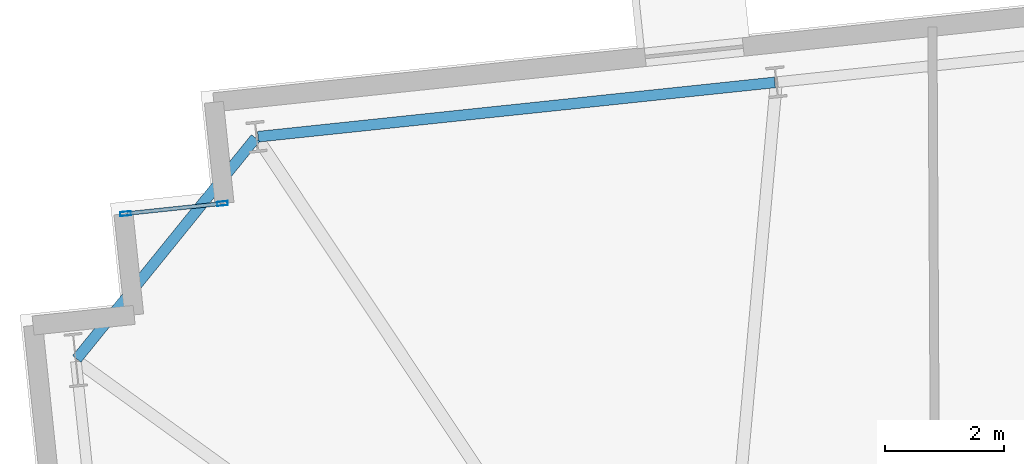
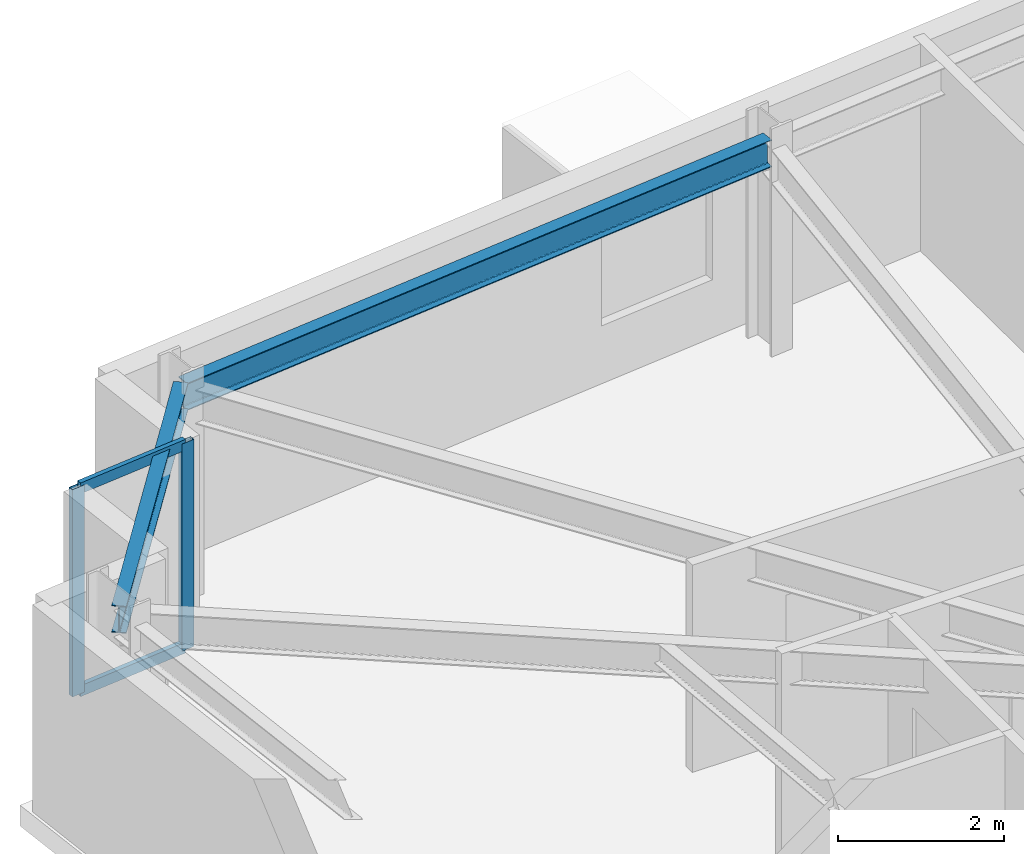
# One storey, part 12 of 23: 4 members, 2 beams, 1 element without a shape of its own.
"""IFC4 building model written with IfcOpenShell, lengths in metres."""

from ifc_helpers import new_model, si_unit, direction, frame, origin, origin_2d, place, context, subcontext, project, spatial, hollow_rectangle, i_section, extrude, material, layer, layer_set, material_profile, profile_set, type_object, element, aggregate, save


model = new_model("IFC4")

# Units and contexts
model_context = context("Model", 3, precision=1e-05, world=origin(), true_north=direction((0.0, 1.0)))
body_context = subcontext(model_context, "Body", "Model", "MODEL_VIEW")
ifc_project = project(units=[si_unit("LENGTHUNIT", "METRE"), si_unit("AREAUNIT", "SQUARE_METRE"), si_unit("VOLUMEUNIT", "CUBIC_METRE"), si_unit("PLANEANGLEUNIT", "RADIAN"), si_unit("MASSUNIT", "GRAM", prefix="KILO")], contexts=[model_context])

# Site, building, storey
site_placement = place(None, origin())
site = spatial("IfcSite", under=ifc_project, at=site_placement, CompositionType="ELEMENT")
building_placement = place(site_placement, origin())
building = spatial("IfcBuilding", under=site, at=building_placement, Name="Qobustan Lattice House", CompositionType="ELEMENT")
storey_placement = place(building_placement, frame((0.0, 0.0, 95.75)))
storey = spatial("IfcBuildingStorey", under=building, at=storey_placement, Name="L26", CompositionType="ELEMENT", Elevation=95.75)

# Beams
ifc_material_1 = material(Name="Steel S355", Category="steel")
ifc_material_profile_1 = material_profile(ifc_material_1, i_section(OverallWidth=0.179931640625, OverallDepth=0.39990234375, WebThickness=0.008544921875, FlangeThickness=0.013427734375, FilletRadius=0.02099609375, at=origin_2d()), Name="IPE400")
ifc_profile_set_1 = profile_set([ifc_material_profile_1], Name="Steel S355")
beam_type = type_object("IfcBeamType", Name="BM-SPD-IPE400", PredefinedType="SPANDREL", material=ifc_profile_set_1)
beam_1_placement = place(storey_placement, frame((-17.7158203125, 17.919189453125, 2.844970703125), z_axis=(-0.994521279781, -0.10453432002, 0.0), x_axis=(0.10453432002, -0.994521279781, 0.0)))
element("IfcBeam", 1, at=beam_1_placement, inside=storey, type_object=beam_type, Name="L26 perimeter spandrel N6-N7", PredefinedType="SPANDREL", context=body_context, shape_type="SweptSolid", body=[
    extrude(i_section(OverallWidth=0.179931640625, OverallDepth=0.39990234375, WebThickness=0.008544921875, FlangeThickness=0.013427734375, FilletRadius=0.02099609375, at=origin_2d()), origin(), (0.0, 0.0, 1.0), 8.69970703125),
])
beam_2_placement = place(storey_placement, frame((-26.40869140625, 16.98779296875, 2.844970703125), z_axis=(-0.629326627121, -0.777140911545, 0.0), x_axis=(0.777140911545, -0.629326627121, 0.0)))
element("IfcBeam", 2, at=beam_2_placement, inside=storey, type_object=beam_type, Name="L26 perimeter spandrel N7-W1", PredefinedType="SPANDREL", context=body_context, shape_type="SweptSolid", body=[
    extrude(i_section(OverallWidth=0.179931640625, OverallDepth=0.39990234375, WebThickness=0.008544921875, FlangeThickness=0.013427734375, FilletRadius=0.02099609375, at=origin_2d()), origin(), (0.0, 0.0, 1.0), 4.758544921875),
])

# Curtain wall, members
ifc_material_2 = material(Name="Anodised aluminium and low-E glazing", Category="aluminium")
ifc_layer = layer(ifc_material_2, 0.219970703125)
ifc_layer_set = layer_set([ifc_layer], Name="Anodised aluminium and low-E glazing")
curtain_wall_type = type_object("IfcCurtainWallType", Name="CW-FAC-01", PredefinedType="USERDEFINED", material=ifc_layer_set)
curtain_wall_placement = place(storey_placement, origin())
curtain_wall = element("IfcCurtainWall", 3, at=curtain_wall_placement, inside=storey, type_object=curtain_wall_type, Name="L26 serrated corner faceted glazing 8", ObjectType="CURTAIN WALL", PredefinedType="USERDEFINED")
ifc_material_3 = material(Name="Anodised aluminium EN AW-6063 T6", Category="aluminium")
ifc_material_profile_2 = material_profile(ifc_material_3, hollow_rectangle(XDim=0.070068359375, YDim=0.179931640625, WallThickness=0.00439453125, at=origin_2d()), Name="CWM-180x70")
ifc_profile_set_2 = profile_set([ifc_material_profile_2], Name="Anodised aluminium EN AW-6063 T6")
member_type_1 = type_object("IfcMemberType", Name="CWM-STD-180", PredefinedType="MULLION", material=ifc_profile_set_2)
member_1_placement = place(storey_placement, frame((-28.58544921875, 15.720947265625, 0.0), z_axis=(0.0, 0.0, 1.0), x_axis=(-0.104528620025, 0.994521878892, 0.0)))
member_1 = element("IfcMember", 4, at=member_1_placement, type_object=member_type_1, Name="CW-F1 mullion 1", PredefinedType="MULLION", context=body_context, shape_type="SweptSolid", body=[
    extrude(hollow_rectangle(XDim=0.070068359375, YDim=0.179931640625, WallThickness=0.00439453125, at=origin_2d()), origin(), (0.0, 0.0, 1.0), 3.044921875),
])
member_2_placement = place(storey_placement, frame((-26.96435546875, 15.891357421875, 0.0), z_axis=(0.0, 0.0, 1.0), x_axis=(-0.104528620025, 0.994521878892, 0.0)))
member_2 = element("IfcMember", 5, at=member_2_placement, type_object=member_type_1, Name="CW-F1 mullion 2", PredefinedType="MULLION", context=body_context, shape_type="SweptSolid", body=[
    extrude(hollow_rectangle(XDim=0.070068359375, YDim=0.179931640625, WallThickness=0.00439453125, at=origin_2d()), origin(), (0.0, 0.0, 1.0), 3.044921875),
])
ifc_material_4 = material(Name="Anodised aluminium EN AW-6063 T6", Category="aluminium")
ifc_material_profile_3 = material_profile(ifc_material_4, hollow_rectangle(XDim=0.06494140625, YDim=0.159912109375, WallThickness=0.00390625, at=origin_2d()), Name="CWT-160x65")
ifc_profile_set_3 = profile_set([ifc_material_profile_3], Name="Anodised aluminium EN AW-6063 T6")
member_type_2 = type_object("IfcMemberType", Name="CWT-HOR-160", PredefinedType="USERDEFINED", material=ifc_profile_set_3)
member_3_placement = place(storey_placement, frame((-28.55078125, 15.724609375, 0.032470703125), z_axis=(0.994520877159, 0.104538150424, 0.0), x_axis=(-0.104538150424, 0.994520877159, 0.0)))
member_3 = element("IfcMember", 6, at=member_3_placement, type_object=member_type_2, Name="CW-F1 transom 1.1", ObjectType="TRANSOM", PredefinedType="USERDEFINED", context=body_context, shape_type="SweptSolid", body=[
    extrude(hollow_rectangle(XDim=0.06494140625, YDim=0.159912109375, WallThickness=0.00390625, at=origin_2d()), origin(), (0.0, 0.0, 1.0), 1.56005859375),
])
member_4_placement = place(storey_placement, frame((-28.55078125, 15.724609375, 3.012451171875), z_axis=(0.994520877159, 0.104538150424, 0.0), x_axis=(-0.104538150424, 0.994520877159, 0.0)))
member_4 = element("IfcMember", 7, at=member_4_placement, type_object=member_type_2, Name="CW-F1 transom 1.2", ObjectType="TRANSOM", PredefinedType="USERDEFINED", context=body_context, shape_type="SweptSolid", body=[
    extrude(hollow_rectangle(XDim=0.06494140625, YDim=0.159912109375, WallThickness=0.00390625, at=origin_2d()), origin(), (0.0, 0.0, 1.0), 1.56005859375),
])
aggregate(curtain_wall, [member_1, member_2, member_3, member_4])

save(model, "model.ifc")
